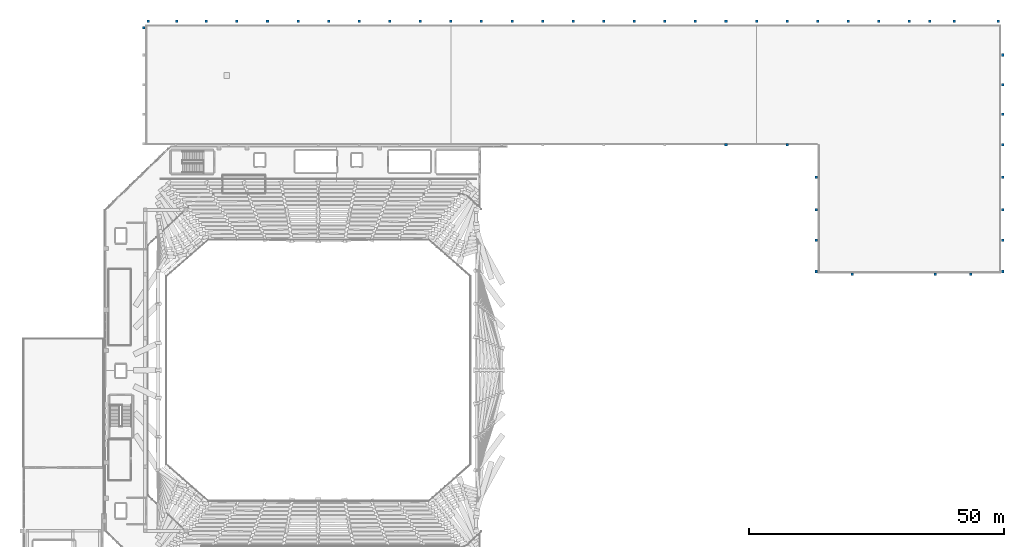
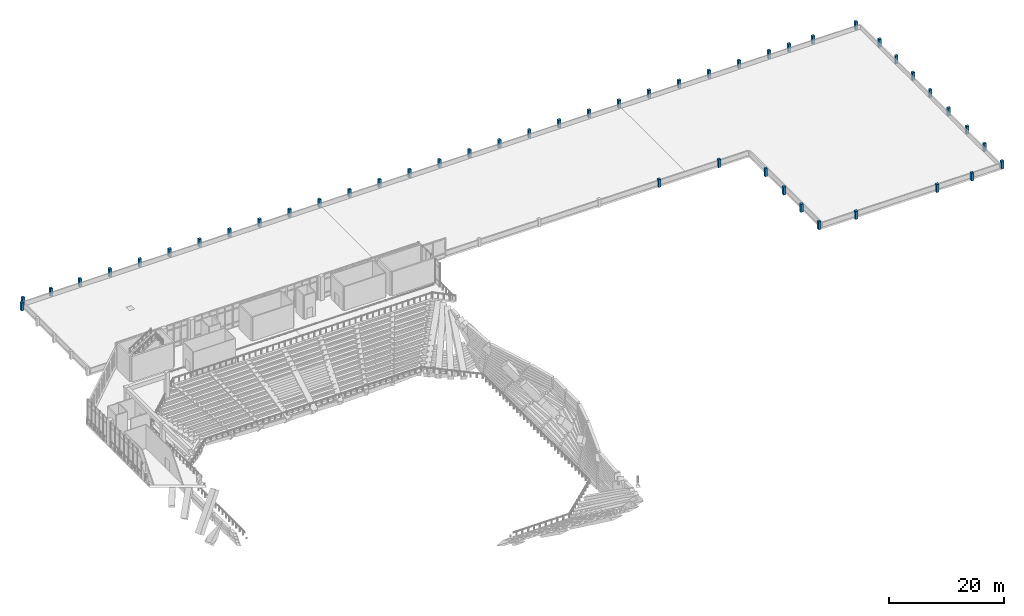
# One storey, part 2 of 55: 47 columns.
"""IFC4 building model written with IfcOpenShell, lengths in metres."""

from ifc_helpers import new_model, si_unit, derived_unit, direction, frame, origin, origin_2d, place, context, subcontext, project, spatial, rectangle, extrude, material, material_profile, profile_set, type_object, element, save


model = new_model("IFC4")

# Units and contexts
model_context = context("Model", 3, precision=1e-05, world=origin(), true_north=direction((0.0, 1.0)))
body_context = subcontext(model_context, "Body", "Model", "MODEL_VIEW")
ifc_project = project(units=[si_unit("LENGTHUNIT", "METRE"), si_unit("AREAUNIT", "SQUARE_METRE"), si_unit("VOLUMEUNIT", "CUBIC_METRE"), si_unit("PLANEANGLEUNIT", "RADIAN"), si_unit("MASSUNIT", "GRAM", prefix="KILO"), derived_unit("THERMALTRANSMITTANCEUNIT", [(si_unit("MASSUNIT", "GRAM", prefix="KILO"), 1), (si_unit("TIMEUNIT", "SECOND"), -3), (si_unit("THERMODYNAMICTEMPERATUREUNIT", "KELVIN"), -1)])], contexts=[model_context])

# Site, building, storey
site_placement = place(None, origin())
site = spatial("IfcSite", under=ifc_project, at=site_placement, CompositionType="ELEMENT")
building_placement = place(site_placement, origin())
building = spatial("IfcBuilding", under=site, at=building_placement, Name="Valcora Ridge Arena", CompositionType="ELEMENT")
storey_placement = place(building_placement, frame((0.0, 0.0, 21.0)))
storey = spatial("IfcBuildingStorey", under=building, at=storey_placement, Name="L04", CompositionType="ELEMENT", Elevation=21.0)

# Columns
ifc_material = material(Name="Bush-hammered Andean travertine architectural concrete C45/55", Category="masonry")
ifc_material_profile = material_profile(ifc_material, rectangle(XDim=0.5, YDim=0.5, at=origin_2d()), Name="RC 500x500")
ifc_profile_set = profile_set([ifc_material_profile], Name="Bush-hammered Andean travertine architectural concrete C45/55")
column_type = type_object("IfcColumnType", Name="TY-COLUMN-C-FINIAL-500", PredefinedType="PILASTER", material=ifc_profile_set)
for number, where, z_axis, x_axis, name in (
    (1, (24.60009765625, 132.6201171875, -0.340087890625), (0.0, 0.0, 1.0), (1.0, 0.0, 0.0), "C-FINIAL-500 COL-FN-C-FINIAL-500-0012"),
    (2, (30.199951171875, 132.6201171875, -0.340087890625), (0.0, 0.0, 1.0), (1.0, 0.0, 0.0), "C-FINIAL-500 COL-FN-C-FINIAL-500-0013"),
    (3, (42.0, 132.6201171875, -0.340087890625), (0.0, 0.0, 1.0), (1.0, 0.0, 0.0), "C-FINIAL-500 COL-FN-C-FINIAL-500-0014"),
    (4, (54.0, 132.6201171875, -0.340087890625), (0.0, 0.0, 1.0), (1.0, 0.0, 0.0), "C-FINIAL-500 COL-FN-C-FINIAL-500-0015"),
    (5, (66.0, 132.6201171875, -0.340087890625), (0.0, 0.0, 1.0), (1.0, 0.0, 0.0), "C-FINIAL-500 COL-FN-C-FINIAL-500-0016"),
    (6, (78.0, 132.6201171875, -0.340087890625), (0.0, 0.0, 1.0), (1.0, 0.0, 0.0), "C-FINIAL-500 COL-FN-C-FINIAL-500-0017"),
    (7, (90.0, 132.6201171875, -0.340087890625), (0.0, 0.0, 1.0), (1.0, 0.0, 0.0), "C-FINIAL-500 COL-FN-C-FINIAL-500-0018"),
    (8, (102.0, 132.6201171875, -0.340087890625), (0.0, 0.0, 1.0), (1.0, 0.0, 0.0), "C-FINIAL-500 COL-FN-C-FINIAL-500-0019"),
    (9, (114.0, 132.6201171875, -0.340087890625), (0.0, 0.0, 1.0), (1.0, 0.0, 0.0), "C-FINIAL-500 COL-FN-C-FINIAL-500-0020"),
    (10, (126.0, 132.6201171875, -0.340087890625), (0.0, 0.0, 1.0), (1.0, 0.0, 0.0), "C-FINIAL-500 COL-FN-C-FINIAL-500-0021"),
    (11, (138.0, 132.6201171875, -0.340087890625), (0.0, 0.0, 1.0), (1.0, 0.0, 0.0), "C-FINIAL-500 COL-FN-C-FINIAL-500-0022"),
    (12, (150.0, 132.6201171875, -0.340087890625), (0.0, 0.0, 1.0), (1.0, 0.0, 0.0), "C-FINIAL-500 COL-FN-C-FINIAL-500-0023"),
    (13, (162.0, 132.6201171875, -0.340087890625), (0.0, 0.0, 1.0), (1.0, 0.0, 0.0), "C-FINIAL-500 COL-FN-C-FINIAL-500-0024"),
    (14, (174.0, 132.6201171875, -0.340087890625), (0.0, 0.0, 1.0), (1.0, 0.0, 0.0), "C-FINIAL-500 COL-FN-C-FINIAL-500-0025"),
    (15, (182.800048828125, 132.6201171875, -0.340087890625), (0.0, 0.0, 1.0), (1.0, 0.0, 0.0), "C-FINIAL-500 COL-FN-C-FINIAL-500-0026"),
    (16, (191.39990234375, 132.6201171875, -0.340087890625), (0.0, 0.0, 1.0), (1.0, 0.0, 0.0), "C-FINIAL-500 COL-FN-C-FINIAL-500-0027"),
    (17, (192.320068359375, 83.5, -0.340087890625), (0.0, 0.0, 1.0), (1.0, 0.0, 0.0), "C-FINIAL-500 COL-FN-C-FINIAL-500-0028"),
    (18, (192.320068359375, 89.60009765625, -0.340087890625), (0.0, 0.0, 1.0), (1.0, 0.0, 0.0), "C-FINIAL-500 COL-FN-C-FINIAL-500-0029"),
    (19, (192.320068359375, 95.60009765625, -0.340087890625), (0.0, 0.0, 1.0), (1.0, 0.0, 0.0), "C-FINIAL-500 COL-FN-C-FINIAL-500-0030"),
    (20, (192.320068359375, 102.0, -0.340087890625), (0.0, 0.0, 1.0), (1.0, 0.0, 0.0), "C-FINIAL-500 COL-FN-C-FINIAL-500-0031"),
    (21, (192.320068359375, 108.39990234375, -0.340087890625), (0.0, 0.0, 1.0), (1.0, 0.0, 0.0), "C-FINIAL-500 COL-FN-C-FINIAL-500-0032"),
    (22, (192.320068359375, 114.39990234375, -0.340087890625), (0.0, 0.0, 1.0), (1.0, 0.0, 0.0), "C-FINIAL-500 COL-FN-C-FINIAL-500-0033"),
    (23, (192.320068359375, 120.199951171875, -0.340087890625), (0.0, 0.0, 1.0), (1.0, 0.0, 0.0), "C-FINIAL-500 COL-FN-C-FINIAL-500-0034"),
    (24, (192.320068359375, 126.0, -0.340087890625), (0.0, 0.0, 1.0), (1.0, 0.0, 0.0), "C-FINIAL-500 COL-FN-C-FINIAL-500-0035"),
    (25, (23.679931640625, 131.35009765625, -0.340087890625), (0.0, 0.0, 1.0), (1.0, 0.0, 0.0), "C-FINIAL-500 COL-FN-C-FINIAL-500-0040"),
    (26, (155.679931640625, 83.5, -0.340087890625), (0.0, 0.0, 1.0), (1.0, 0.0, 0.0), "C-FINIAL-500 COL-FN-C-FINIAL-500-0041"),
    (27, (155.679931640625, 89.60009765625, -0.340087890625), (0.0, 0.0, 1.0), (1.0, 0.0, 0.0), "C-FINIAL-500 COL-FN-C-FINIAL-500-0042"),
    (28, (155.679931640625, 95.60009765625, -0.340087890625), (0.0, 0.0, 1.0), (1.0, 0.0, 0.0), "C-FINIAL-500 COL-FN-C-FINIAL-500-0043"),
    (29, (155.679931640625, 102.0, -0.340087890625), (0.0, 0.0, 1.0), (1.0, 0.0, 0.0), "C-FINIAL-500 COL-FN-C-FINIAL-500-0044"),
    (30, (162.800048828125, 83.0, -0.340087890625), (0.0, 0.0, 1.0), (1.0, 0.0, 0.0), "C-FINIAL-500 COL-FN-C-FINIAL-500-0045"),
    (31, (179.050048828125, 83.0, -0.340087890625), (0.0, 0.0, 1.0), (1.0, 0.0, 0.0), "C-FINIAL-500 COL-FN-C-FINIAL-500-0046"),
    (32, (186.0, 83.0, -0.340087890625), (0.0, 0.0, 1.0), (1.0, 0.0, 0.0), "C-FINIAL-500 COL-FN-C-FINIAL-500-0047"),
    (33, (36.0, 132.6201171875, -0.340087890625), (0.0, 0.0, 1.0), (1.0, 0.0, 0.0), "C-FINIAL-500 COL-FN-C-FINIAL-500-0048"),
    (34, (48.0, 132.6201171875, -0.340087890625), (0.0, 0.0, 1.0), (1.0, 0.0, 0.0), "C-FINIAL-500 COL-FN-C-FINIAL-500-0049"),
    (35, (60.0, 132.6201171875, -0.340087890625), (0.0, 0.0, 1.0), (1.0, 0.0, 0.0), "C-FINIAL-500 COL-FN-C-FINIAL-500-0050"),
    (36, (72.0, 132.6201171875, -0.340087890625), (0.0, 0.0, 1.0), (1.0, 0.0, 0.0), "C-FINIAL-500 COL-FN-C-FINIAL-500-0051"),
    (37, (84.0, 132.6201171875, -0.340087890625), (0.0, 0.0, 1.0), (1.0, 0.0, 0.0), "C-FINIAL-500 COL-FN-C-FINIAL-500-0052"),
    (38, (96.0, 132.6201171875, -0.340087890625), (0.0, 0.0, 1.0), (1.0, 0.0, 0.0), "C-FINIAL-500 COL-FN-C-FINIAL-500-0053"),
    (39, (108.0, 132.6201171875, -0.340087890625), (0.0, 0.0, 1.0), (1.0, 0.0, 0.0), "C-FINIAL-500 COL-FN-C-FINIAL-500-0054"),
    (40, (120.0, 132.6201171875, -0.340087890625), (0.0, 0.0, 1.0), (1.0, 0.0, 0.0), "C-FINIAL-500 COL-FN-C-FINIAL-500-0055"),
    (41, (132.0, 132.6201171875, -0.340087890625), (0.0, 0.0, 1.0), (1.0, 0.0, 0.0), "C-FINIAL-500 COL-FN-C-FINIAL-500-0056"),
    (42, (144.0, 132.6201171875, -0.340087890625), (0.0, 0.0, 1.0), (1.0, 0.0, 0.0), "C-FINIAL-500 COL-FN-C-FINIAL-500-0057"),
    (43, (156.0, 132.6201171875, -0.340087890625), (0.0, 0.0, 1.0), (1.0, 0.0, 0.0), "C-FINIAL-500 COL-FN-C-FINIAL-500-0058"),
    (44, (168.0, 132.6201171875, -0.340087890625), (0.0, 0.0, 1.0), (1.0, 0.0, 0.0), "C-FINIAL-500 COL-FN-C-FINIAL-500-0059"),
    (45, (178.0, 132.6201171875, -0.340087890625), (0.0, 0.0, 1.0), (1.0, 0.0, 0.0), "C-FINIAL-500 COL-FN-C-FINIAL-500-0060"),
    (46, (138.0, 108.419921875, -0.340087890625), (0.0, 0.0, 1.0), (1.0, 0.0, 0.0), "C-FINIAL-500 COL-FN-C-FINIAL-500-0070"),
    (47, (150.0, 108.419921875, -0.340087890625), (0.0, 0.0, 1.0), (1.0, 0.0, 0.0), "C-FINIAL-500 COL-FN-C-FINIAL-500-0071"),
):
    element("IfcColumn", number, at=place(storey_placement, frame(where, z_axis=z_axis, x_axis=x_axis)), inside=storey, type_object=column_type, Name=name, PredefinedType="PILASTER", context=body_context, shape_type="SweptSolid", body=[
        extrude(rectangle(XDim=0.5, YDim=0.5, at=origin_2d()), origin(), (0.0, 0.0, 1.0), 1.690185546875),
    ])

save(model, "model.ifc")
